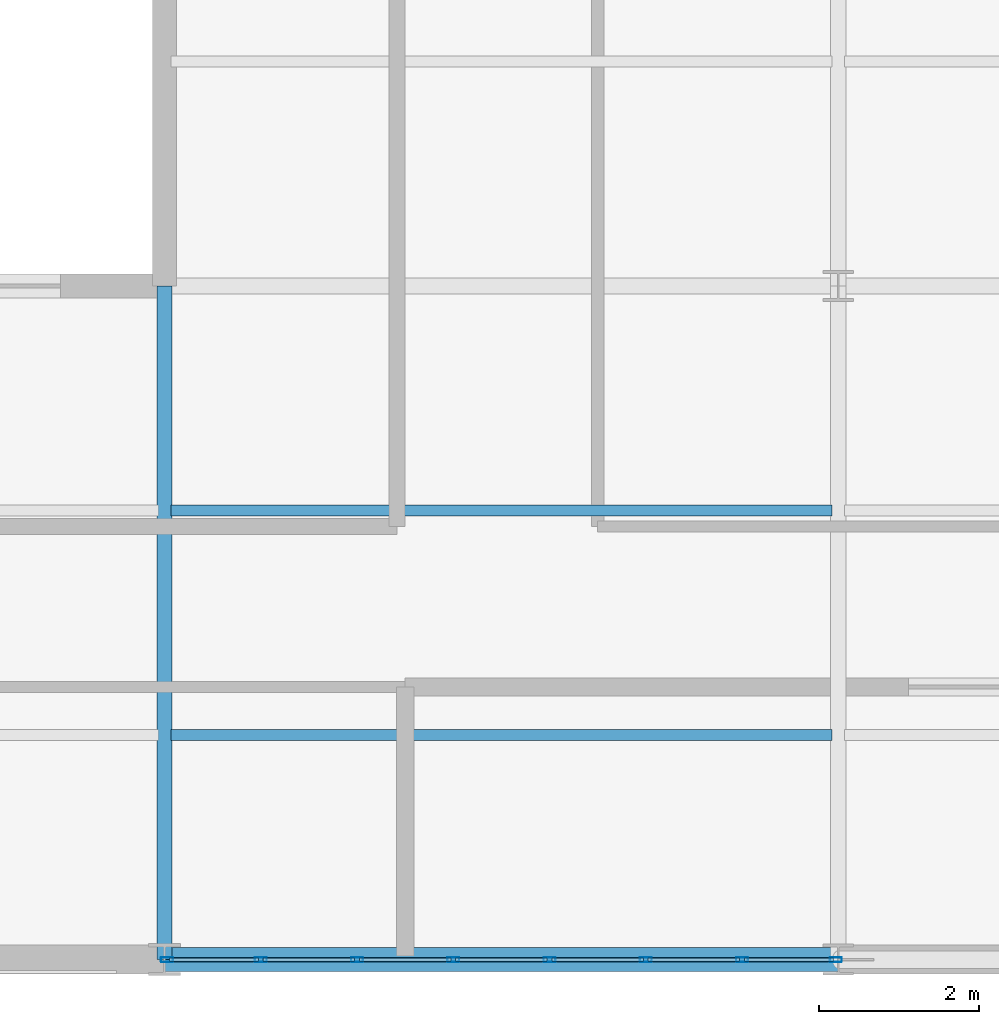
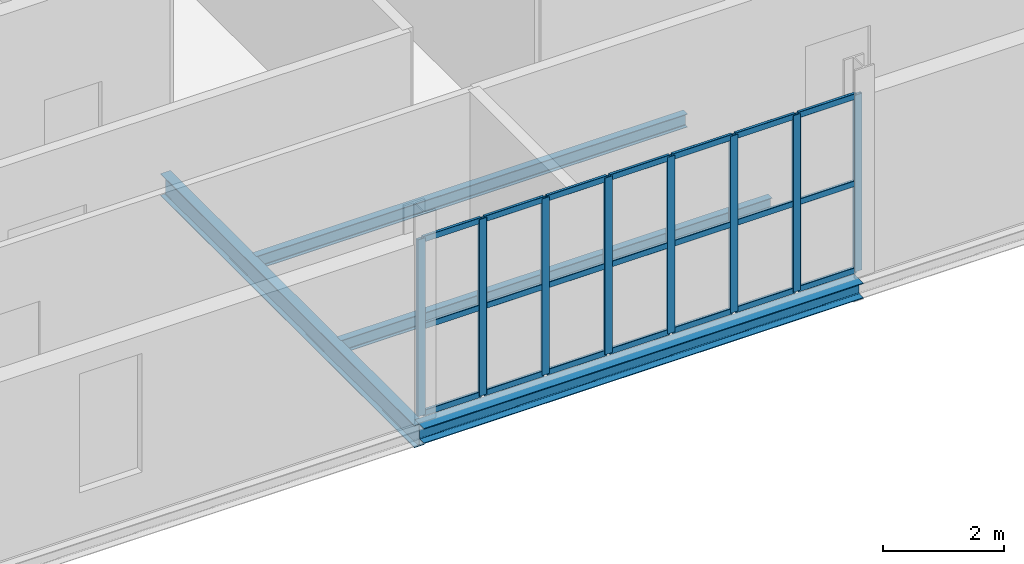
# One storey, part 25 of 184: 29 members, 4 beams, 1 element without a shape of its own.
"""IFC4 building model written with IfcOpenShell, lengths in metres."""

import ifcopenshell
import ifcopenshell.guid

model = None  # the IFC model being written
_history = None  # IfcOwnerHistory: only IFC2X3 demands one
_inside = {}  # id of a spatial element -> (the spatial element, [elements in it])
_under = {}  # id of a project, library or spatial element -> (it, [spatial elements below it])
_declared = {}  # id of a project -> (the project, [libraries it declares])
_typed = {}  # id of a type object -> (the type object, [elements of that type])
_made_of = {}  # id of a material, layer set ... -> (it, [elements and type objects made of it])


def new_model(schema):
    """Start an empty IFC model of exactly this schema.

    Asked for "IFC4X3", IfcOpenShell would pick the latest addendum, in which some entities
    have other attributes; the version numbers below select the first issue.
    IFC2X3 requires an IfcOwnerHistory on every rooted entity: one is made here for all.
    """
    global model, _history
    if schema == "IFC4X3":
        model = ifcopenshell.file(schema_version=(4, 3, 0, 0))
    else:
        model = ifcopenshell.file(schema=schema)
    _inside.clear()
    _under.clear()
    _declared.clear()
    _typed.clear()
    _made_of.clear()
    _history = None
    if model.schema == "IFC2X3":
        org = make("IfcOrganization", Name="unknown")
        user = make(
            "IfcPersonAndOrganization",
            ThePerson=make("IfcPerson", FamilyName="unknown"),
            TheOrganization=org,
        )
        app = make(
            "IfcApplication",
            ApplicationDeveloper=org,
            Version="unknown",
            ApplicationFullName="unknown",
            ApplicationIdentifier="unknown",
        )
        _history = make(
            "IfcOwnerHistory",
            OwningUser=user,
            OwningApplication=app,
            ChangeAction="ADDED",
            CreationDate=0,
        )
    return model


def make(cls, **values):
    """One entity of the class cls with the attributes given. An attribute that is None is left unset."""
    return model.create_entity(
        cls, **{name: value for name, value in values.items() if value is not None}
    )


def rooted(cls, **values):
    """An entity with a GlobalId (a new one), such as an element, a storey or a relation."""
    return make(cls, GlobalId=ifcopenshell.guid.new(), OwnerHistory=_history, **values)


def si_unit(unit_type, name, prefix=None):
    """IfcSIUnit, for example si_unit("LENGTHUNIT", "METRE", prefix="MILLI")."""
    return make("IfcSIUnit", UnitType=unit_type, Prefix=prefix, Name=name)


def assignment(units):
    """IfcUnitAssignment: the units of a project."""
    return None if units is None else make("IfcUnitAssignment", Units=units)


def point(xyz):
    """IfcCartesianPoint."""
    return None if xyz is None else make("IfcCartesianPoint", Coordinates=xyz)


def direction(xyz):
    """IfcDirection."""
    return None if xyz is None else make("IfcDirection", DirectionRatios=xyz)


def frame(location, z_axis=None, x_axis=None):
    """IfcAxis2Placement3D, a coordinate frame: its origin and axes. An axis left out is left unset."""
    return make(
        "IfcAxis2Placement3D",
        Location=point(location),
        Axis=direction(z_axis),
        RefDirection=direction(x_axis),
    )


def frame_2d(location, x_axis=None):
    """IfcAxis2Placement2D, a coordinate frame in the plane: its origin and x axis."""
    return make(
        "IfcAxis2Placement2D", Location=point(location), RefDirection=direction(x_axis)
    )


def origin():
    """The frame at (0, 0, 0) with its axes left unset."""
    return frame((0.0, 0.0, 0.0))


def origin_2d():
    """The frame at (0, 0) in the plane with its x axis left unset."""
    return frame_2d((0.0, 0.0))


def place(relative_to, where):
    """IfcLocalPlacement: puts the frame where relative to a parent placement (None: the world)."""
    return make(
        "IfcLocalPlacement", PlacementRelTo=relative_to, RelativePlacement=where
    )


def context(
    kind, dimensions, precision=None, world=None, true_north=None, identifier=None
):
    """IfcGeometricRepresentationContext, for example the 3D "Model" context."""
    return make(
        "IfcGeometricRepresentationContext",
        ContextIdentifier=identifier,
        ContextType=kind,
        CoordinateSpaceDimension=dimensions,
        Precision=precision,
        WorldCoordinateSystem=world,
        TrueNorth=true_north,
    )


def subcontext(parent, identifier, kind, view, scale=None):
    """IfcGeometricRepresentationSubContext, for example "Body" below "Model"."""
    return make(
        "IfcGeometricRepresentationSubContext",
        ContextIdentifier=identifier,
        ContextType=kind,
        ParentContext=parent,
        TargetScale=scale,
        TargetView=view,
    )


def project(units=None, contexts=None):
    """IfcProject with its units and contexts."""
    return rooted(
        "IfcProject",
        Name="project",
        RepresentationContexts=contexts,
        UnitsInContext=assignment(units),
    )


def spatial(cls, under=None, at=None, **own):
    """A site, building, storey or space (cls), placed at a placement, below another one or the project."""
    s = rooted(cls, ObjectPlacement=at, **own)
    if under is not None:
        _under.setdefault(under.id(), (under, []))[1].append(s)
    return s


def profile(cls, at=None, kind="AREA", **sizes):
    """A parametric profile (cls). Its sizes go by their IFC names, for example OverallWidth=200.0."""
    return make(cls, ProfileType=kind, Position=at, **sizes)


def hollow_rectangle(**sizes):
    """IfcRectangleHollowProfileDef."""
    return profile("IfcRectangleHollowProfileDef", **sizes)


def i_section(**sizes):
    """IfcIShapeProfileDef."""
    return profile("IfcIShapeProfileDef", **sizes)


def extrude(swept, where, along, depth):
    """IfcExtrudedAreaSolid: the profile swept, set in the frame where, extruded along a direction by depth."""
    return make(
        "IfcExtrudedAreaSolid",
        SweptArea=swept,
        Position=where,
        ExtrudedDirection=direction(along),
        Depth=depth,
    )


def shape(context_of_items, identifier, shape_type, items):
    """IfcShapeRepresentation: the items that make up one representation, for example the "Body"."""
    return make(
        "IfcShapeRepresentation",
        ContextOfItems=context_of_items,
        RepresentationIdentifier=identifier,
        RepresentationType=shape_type,
        Items=items,
    )


def material(Name=None, Category=None):
    """IfcMaterial."""
    return make("IfcMaterial", Name=Name, Category=Category)


def layer(
    of_material, thickness, ventilated=None, Name=None, Category=None, Priority=None
):
    """IfcMaterialLayer: one layer of a wall or slab, of a material (None: an air gap)."""
    return make(
        "IfcMaterialLayer",
        Material=of_material,
        LayerThickness=thickness,
        IsVentilated=ventilated,
        Name=Name,
        Category=Category,
        Priority=Priority,
    )


def layer_set(layers, Name=None):
    """IfcMaterialLayerSet."""
    return make("IfcMaterialLayerSet", MaterialLayers=layers, LayerSetName=Name)


def material_profile(
    of_material, cross_section, Name=None, Category=None, Priority=None
):
    """IfcMaterialProfile: a cross section and its material."""
    return make(
        "IfcMaterialProfile",
        Name=Name,
        Material=of_material,
        Profile=cross_section,
        Priority=Priority,
        Category=Category,
    )


def profile_set(profiles, Name=None, composite=None):
    """IfcMaterialProfileSet."""
    return make(
        "IfcMaterialProfileSet",
        Name=Name,
        MaterialProfiles=profiles,
        CompositeProfile=composite,
    )


def made_of(thing, what):
    """Note that an element or type object is made of a material, layer set ...; save() writes the relation."""
    if what is not None:
        _made_of.setdefault(what.id(), (what, []))[1].append(thing)
    return thing


def type_object(cls, material=None, **own):
    """A type object (cls), such as IfcWallType, which elements share."""
    return made_of(rooted(cls, **own), material)


def element(
    cls,
    number,
    at=None,
    inside=None,
    cuts=None,
    type_object=None,
    material=None,
    context=None,
    identifier="Body",
    shape_type=None,
    held_by="IfcProductDefinitionShape",
    body=None,
    shapes=None,
    **own,
):
    """One element of the class cls, such as IfcWall. Its Tag is "e" and its number.

    at: its placement. inside: the storey or other place that contains it. cuts: it is an
    opening in that element (IfcRelVoidsElement). A single representation is given by context,
    identifier, shape_type and body (its items); several are given by shapes. held_by: the class
    of the entity that holds the representations. save() writes the other relations.
    """
    e = rooted(cls, Tag="e%d" % number, ObjectPlacement=at, **own)
    if body is not None:
        shapes = [shape(context, identifier, shape_type, body)]
    if shapes is not None:
        e.Representation = make(held_by, Representations=shapes)
    if inside is not None:
        _inside.setdefault(inside.id(), (inside, []))[1].append(e)
    if cuts is not None:
        rooted(
            "IfcRelVoidsElement", RelatingBuildingElement=cuts, RelatedOpeningElement=e
        )
    if type_object is not None:
        _typed.setdefault(type_object.id(), (type_object, []))[1].append(e)
    return made_of(e, material)


def aggregate(whole, parts):
    """IfcRelAggregates: a whole, such as a stair, and the parts it consists of."""
    return rooted("IfcRelAggregates", RelatingObject=whole, RelatedObjects=parts)


def save(model, path):
    """Write the relations noted so far, then the file.

    IfcRelAggregates (storeys below a building ...), IfcRelContainedInSpatialStructure (elements
    in a storey), IfcRelDefinesByType, IfcRelAssociatesMaterial and IfcRelDeclares: one each for
    every whole, place, type object, material and project.
    """
    for whole, parts in _under.values():
        aggregate(whole, parts)
    for where, things in _inside.values():
        rooted(
            "IfcRelContainedInSpatialStructure",
            RelatedElements=things,
            RelatingStructure=where,
        )
    for kind, things in _typed.values():
        rooted("IfcRelDefinesByType", RelatedObjects=things, RelatingType=kind)
    for what, things in _made_of.values():
        rooted("IfcRelAssociatesMaterial", RelatedObjects=things, RelatingMaterial=what)
    for by, libraries in _declared.values():
        rooted("IfcRelDeclares", RelatingContext=by, RelatedDefinitions=libraries)
    model.write(path)


model = new_model("IFC4")

# Units and contexts
model_context = context("Model", 3, precision=1e-05, world=origin(), true_north=direction((0.0, 1.0)))
body_context = subcontext(model_context, "Body", "Model", "MODEL_VIEW")
ifc_project = project(units=[si_unit("LENGTHUNIT", "METRE"), si_unit("AREAUNIT", "SQUARE_METRE"), si_unit("VOLUMEUNIT", "CUBIC_METRE"), si_unit("PLANEANGLEUNIT", "RADIAN"), si_unit("MASSUNIT", "GRAM", prefix="KILO")], contexts=[model_context])

# Site, building, storey
site_placement = place(None, origin())
site = spatial("IfcSite", under=ifc_project, at=site_placement, CompositionType="ELEMENT")
building_placement = place(site_placement, origin())
building = spatial("IfcBuilding", under=site, at=building_placement, Name="Qalvenar Corner Mobility Hub", CompositionType="ELEMENT")
storey_placement = place(building_placement, frame((0.0, 0.0, 9.0)))
storey = spatial("IfcBuildingStorey", under=building, at=storey_placement, Name="L02", CompositionType="ELEMENT", Elevation=9.0)

# Beams
ifc_material_1 = material(Name="Steel S355", Category="steel")
ifc_material_profile_1 = material_profile(ifc_material_1, i_section(OverallWidth=0.18994140625, OverallDepth=0.449951171875, WebThickness=0.009521484375, FlangeThickness=0.0146484375, FilletRadius=0.02099609375, at=origin_2d()), Name="IPE450")
ifc_profile_set_1 = profile_set([ifc_material_profile_1], Name="Steel S355")
beam_type_1 = type_object("IfcBeamType", Name="BM-IPE450", PredefinedType="BEAM", material=ifc_profile_set_1)
beam_1_placement = place(storey_placement, frame((16.800048828125, 0.0, -0.405029296875), z_axis=(0.0, 1.0, 0.0), x_axis=(-1.0, 0.0, 0.0)))
element("IfcBeam", 1, at=beam_1_placement, inside=storey, type_object=beam_type_1, Name="Primary Steel Girder GY-1587", PredefinedType="BEAM", context=body_context, shape_type="SweptSolid", body=[
    extrude(i_section(OverallWidth=0.18994140625, OverallDepth=0.449951171875, WebThickness=0.009521484375, FlangeThickness=0.0146484375, FilletRadius=0.02099609375, at=origin_2d()), origin(), (0.0, 0.0, 1.0), 8.39990234375),
])
ifc_material_profile_2 = material_profile(ifc_material_1, i_section(OverallWidth=0.135009765625, OverallDepth=0.27001953125, WebThickness=0.006591796875, FlangeThickness=0.01025390625, FilletRadius=0.014892578125, at=origin_2d()), Name="IPE270")
ifc_profile_set_2 = profile_set([ifc_material_profile_2], Name="Steel S355")
beam_type_2 = type_object("IfcBeamType", Name="BM-JST270", PredefinedType="JOIST", material=ifc_profile_set_2)
for number, where, z_axis, x_axis, name in (
    (2, (16.8779296875, 2.800048828125, -0.31494140625), (1.0, 0.0, 0.0), (0.0, 1.0, 0.0), "Composite Floor Joist J-1631"),
    (3, (16.8779296875, 5.60009765625, -0.31494140625), (1.0, 0.0, 0.0), (0.0, 1.0, 0.0), "Composite Floor Joist J-1632"),
):
    element("IfcBeam", number, at=place(storey_placement, frame(where, z_axis=z_axis, x_axis=x_axis)), inside=storey, type_object=beam_type_2, Name=name, PredefinedType="JOIST", context=body_context, shape_type="SweptSolid", body=[
        extrude(i_section(OverallWidth=0.135009765625, OverallDepth=0.27001953125, WebThickness=0.006591796875, FlangeThickness=0.01025390625, FilletRadius=0.014892578125, at=origin_2d()), origin(), (0.0, 0.0, 1.0), 8.244140625),
    ])
ifc_material_profile_3 = material_profile(ifc_material_1, i_section(OverallWidth=0.300048828125, OverallDepth=0.31005859375, WebThickness=0.009033203125, FlangeThickness=0.015380859375, FilletRadius=0.027099609375, at=origin_2d()), Name="HEA320")
ifc_profile_set_3 = profile_set([ifc_material_profile_3], Name="Steel S355")
beam_type_3 = type_object("IfcBeamType", Name="BM-SPN320", PredefinedType="SPANDREL", material=ifc_profile_set_3)
beam_2_placement = place(storey_placement, frame((16.800048828125, 0.0, -0.3349609375), z_axis=(1.0, 0.0, 0.0), x_axis=(0.0, 1.0, 0.0)))
element("IfcBeam", 4, at=beam_2_placement, inside=storey, type_object=beam_type_3, Name="Primary Steel Girder GX-1543", PredefinedType="SPANDREL", context=body_context, shape_type="SweptSolid", body=[
    extrude(i_section(OverallWidth=0.300048828125, OverallDepth=0.31005859375, WebThickness=0.009033203125, FlangeThickness=0.015380859375, FilletRadius=0.027099609375, at=origin_2d()), origin(), (0.0, 0.0, 1.0), 8.39990234375),
])

# Curtain wall, members
ifc_material_2 = material(Name="Anodised Aluminium and Low-E Glazing", Category="aluminium")
ifc_layer = layer(ifc_material_2, 0.14990234375)
ifc_layer_set = layer_set([ifc_layer], Name="Anodised Aluminium and Low-E Glazing")
curtain_wall_type = type_object("IfcCurtainWallType", Name="CW-CIV-84X40", PredefinedType="NOTDEFINED", material=ifc_layer_set)
curtain_wall_placement = place(storey_placement, origin())
curtain_wall = element("IfcCurtainWall", 5, at=curtain_wall_placement, inside=storey, type_object=curtain_wall_type, Name="Glazed Curtain Wall CW-V3-L02-S2", PredefinedType="NOTDEFINED")
ifc_material_3 = material(Name="Anodised Aluminium 6063-T6", Category="aluminium")
ifc_material_profile_4 = material_profile(ifc_material_3, hollow_rectangle(XDim=0.06005859375, YDim=0.14990234375, WallThickness=0.00390625, InnerFilletRadius=0.00390625, OuterFilletRadius=0.008056640625, at=origin_2d()), Name="RHS150x60x4")
ifc_profile_set_4 = profile_set([ifc_material_profile_4], Name="Anodised Aluminium 6063-T6")
member_type_1 = type_object("IfcMemberType", Name="CW-MUL150", PredefinedType="MULLION", material=ifc_profile_set_4)
member_1_placement = place(storey_placement, frame((16.830078125, 0.0, 0.0), z_axis=(0.0, 0.0, 1.0), x_axis=(0.0, 1.0, 0.0)))
member_1 = element("IfcMember", 6, at=member_1_placement, type_object=member_type_1, Name="CW-05 mullion 1", PredefinedType="MULLION", context=body_context, shape_type="SweptSolid", body=[
    extrude(hollow_rectangle(XDim=0.06005859375, YDim=0.14990234375, WallThickness=0.00390625, InnerFilletRadius=0.00390625, OuterFilletRadius=0.008056640625, at=origin_2d()), origin(), (0.0, 0.0, 1.0), 3.570068359375),
])
member_2_placement = place(storey_placement, frame((18.0, 0.0, 0.0), z_axis=(0.0, 0.0, 1.0), x_axis=(0.0, 1.0, 0.0)))
member_2 = element("IfcMember", 7, at=member_2_placement, type_object=member_type_1, Name="CW-05 mullion 2", PredefinedType="MULLION", context=body_context, shape_type="SweptSolid", body=[
    extrude(hollow_rectangle(XDim=0.06005859375, YDim=0.14990234375, WallThickness=0.00390625, InnerFilletRadius=0.00390625, OuterFilletRadius=0.008056640625, at=origin_2d()), origin(), (0.0, 0.0, 1.0), 3.570068359375),
])
member_3_placement = place(storey_placement, frame((19.199951171875, 0.0, 0.0), z_axis=(0.0, 0.0, 1.0), x_axis=(0.0, 1.0, 0.0)))
member_3 = element("IfcMember", 8, at=member_3_placement, type_object=member_type_1, Name="CW-05 mullion 3", PredefinedType="MULLION", context=body_context, shape_type="SweptSolid", body=[
    extrude(hollow_rectangle(XDim=0.06005859375, YDim=0.14990234375, WallThickness=0.00390625, InnerFilletRadius=0.00390625, OuterFilletRadius=0.008056640625, at=origin_2d()), origin(), (0.0, 0.0, 1.0), 3.570068359375),
])
member_4_placement = place(storey_placement, frame((20.39990234375, 0.0, 0.0), z_axis=(0.0, 0.0, 1.0), x_axis=(0.0, 1.0, 0.0)))
member_4 = element("IfcMember", 9, at=member_4_placement, type_object=member_type_1, Name="CW-05 mullion 4", PredefinedType="MULLION", context=body_context, shape_type="SweptSolid", body=[
    extrude(hollow_rectangle(XDim=0.06005859375, YDim=0.14990234375, WallThickness=0.00390625, InnerFilletRadius=0.00390625, OuterFilletRadius=0.008056640625, at=origin_2d()), origin(), (0.0, 0.0, 1.0), 3.570068359375),
])
member_5_placement = place(storey_placement, frame((21.60009765625, 0.0, 0.0), z_axis=(0.0, 0.0, 1.0), x_axis=(0.0, 1.0, 0.0)))
member_5 = element("IfcMember", 10, at=member_5_placement, type_object=member_type_1, Name="CW-05 mullion 5", PredefinedType="MULLION", context=body_context, shape_type="SweptSolid", body=[
    extrude(hollow_rectangle(XDim=0.06005859375, YDim=0.14990234375, WallThickness=0.00390625, InnerFilletRadius=0.00390625, OuterFilletRadius=0.008056640625, at=origin_2d()), origin(), (0.0, 0.0, 1.0), 3.570068359375),
])
member_6_placement = place(storey_placement, frame((22.800048828125, 0.0, 0.0), z_axis=(0.0, 0.0, 1.0), x_axis=(0.0, 1.0, 0.0)))
member_6 = element("IfcMember", 11, at=member_6_placement, type_object=member_type_1, Name="CW-05 mullion 6", PredefinedType="MULLION", context=body_context, shape_type="SweptSolid", body=[
    extrude(hollow_rectangle(XDim=0.06005859375, YDim=0.14990234375, WallThickness=0.00390625, InnerFilletRadius=0.00390625, OuterFilletRadius=0.008056640625, at=origin_2d()), origin(), (0.0, 0.0, 1.0), 3.570068359375),
])
member_7_placement = place(storey_placement, frame((24.0, 0.0, 0.0), z_axis=(0.0, 0.0, 1.0), x_axis=(0.0, 1.0, 0.0)))
member_7 = element("IfcMember", 12, at=member_7_placement, type_object=member_type_1, Name="CW-05 mullion 7", PredefinedType="MULLION", context=body_context, shape_type="SweptSolid", body=[
    extrude(hollow_rectangle(XDim=0.06005859375, YDim=0.14990234375, WallThickness=0.00390625, InnerFilletRadius=0.00390625, OuterFilletRadius=0.008056640625, at=origin_2d()), origin(), (0.0, 0.0, 1.0), 3.570068359375),
])
member_8_placement = place(storey_placement, frame((25.169921875, 0.0, 0.0), z_axis=(0.0, 0.0, 1.0), x_axis=(0.0, 1.0, 0.0)))
member_8 = element("IfcMember", 13, at=member_8_placement, type_object=member_type_1, Name="CW-05 mullion 8", PredefinedType="MULLION", context=body_context, shape_type="SweptSolid", body=[
    extrude(hollow_rectangle(XDim=0.06005859375, YDim=0.14990234375, WallThickness=0.00390625, InnerFilletRadius=0.00390625, OuterFilletRadius=0.008056640625, at=origin_2d()), origin(), (0.0, 0.0, 1.0), 3.570068359375),
])
ifc_material_profile_5 = material_profile(ifc_material_3, hollow_rectangle(XDim=0.054931640625, YDim=0.1201171875, WallThickness=0.00341796875, InnerFilletRadius=0.00341796875, OuterFilletRadius=0.007080078125, at=origin_2d()), Name="RHS120x55x3.5")
ifc_profile_set_5 = profile_set([ifc_material_profile_5], Name="Anodised Aluminium 6063-T6")
member_type_2 = type_object("IfcMemberType", Name="CW-TRN120", PredefinedType="USERDEFINED", material=ifc_profile_set_5)
member_9_placement = place(storey_placement, frame((16.860107421875, 0.0, 0.027587890625), z_axis=(1.0, 0.0, 0.0), x_axis=(0.0, 1.0, 0.0)))
member_9 = element("IfcMember", 14, at=member_9_placement, type_object=member_type_2, Name="CW-05 transom 1.1", ObjectType="TRANSOM", PredefinedType="USERDEFINED", context=body_context, shape_type="SweptSolid", body=[
    extrude(hollow_rectangle(XDim=0.054931640625, YDim=0.1201171875, WallThickness=0.00341796875, InnerFilletRadius=0.00341796875, OuterFilletRadius=0.007080078125, at=origin_2d()), origin(), (0.0, 0.0, 1.0), 1.10986328125),
])
member_10_placement = place(storey_placement, frame((16.860107421875, 0.0, 1.784912109375), z_axis=(1.0, 0.0, 0.0), x_axis=(0.0, 1.0, 0.0)))
member_10 = element("IfcMember", 15, at=member_10_placement, type_object=member_type_2, Name="CW-05 transom 1.2", ObjectType="TRANSOM", PredefinedType="USERDEFINED", context=body_context, shape_type="SweptSolid", body=[
    extrude(hollow_rectangle(XDim=0.054931640625, YDim=0.1201171875, WallThickness=0.00341796875, InnerFilletRadius=0.00341796875, OuterFilletRadius=0.007080078125, at=origin_2d()), origin(), (0.0, 0.0, 1.0), 1.10986328125),
])
member_11_placement = place(storey_placement, frame((16.860107421875, 0.0, 3.54248046875), z_axis=(1.0, 0.0, 0.0), x_axis=(0.0, 1.0, 0.0)))
member_11 = element("IfcMember", 16, at=member_11_placement, type_object=member_type_2, Name="CW-05 transom 1.3", ObjectType="TRANSOM", PredefinedType="USERDEFINED", context=body_context, shape_type="SweptSolid", body=[
    extrude(hollow_rectangle(XDim=0.054931640625, YDim=0.1201171875, WallThickness=0.00341796875, InnerFilletRadius=0.00341796875, OuterFilletRadius=0.007080078125, at=origin_2d()), origin(), (0.0, 0.0, 1.0), 1.10986328125),
])
member_12_placement = place(storey_placement, frame((18.030029296875, 0.0, 0.027587890625), z_axis=(1.0, 0.0, 0.0), x_axis=(0.0, 1.0, 0.0)))
member_12 = element("IfcMember", 17, at=member_12_placement, type_object=member_type_2, Name="CW-05 transom 2.1", ObjectType="TRANSOM", PredefinedType="USERDEFINED", context=body_context, shape_type="SweptSolid", body=[
    extrude(hollow_rectangle(XDim=0.054931640625, YDim=0.1201171875, WallThickness=0.00341796875, InnerFilletRadius=0.00341796875, OuterFilletRadius=0.007080078125, at=origin_2d()), origin(), (0.0, 0.0, 1.0), 1.139892578125),
])
member_13_placement = place(storey_placement, frame((18.030029296875, 0.0, 1.784912109375), z_axis=(1.0, 0.0, 0.0), x_axis=(0.0, 1.0, 0.0)))
member_13 = element("IfcMember", 18, at=member_13_placement, type_object=member_type_2, Name="CW-05 transom 2.2", ObjectType="TRANSOM", PredefinedType="USERDEFINED", context=body_context, shape_type="SweptSolid", body=[
    extrude(hollow_rectangle(XDim=0.054931640625, YDim=0.1201171875, WallThickness=0.00341796875, InnerFilletRadius=0.00341796875, OuterFilletRadius=0.007080078125, at=origin_2d()), origin(), (0.0, 0.0, 1.0), 1.139892578125),
])
member_14_placement = place(storey_placement, frame((18.030029296875, 0.0, 3.54248046875), z_axis=(1.0, 0.0, 0.0), x_axis=(0.0, 1.0, 0.0)))
member_14 = element("IfcMember", 19, at=member_14_placement, type_object=member_type_2, Name="CW-05 transom 2.3", ObjectType="TRANSOM", PredefinedType="USERDEFINED", context=body_context, shape_type="SweptSolid", body=[
    extrude(hollow_rectangle(XDim=0.054931640625, YDim=0.1201171875, WallThickness=0.00341796875, InnerFilletRadius=0.00341796875, OuterFilletRadius=0.007080078125, at=origin_2d()), origin(), (0.0, 0.0, 1.0), 1.139892578125),
])
member_15_placement = place(storey_placement, frame((19.22998046875, 0.0, 0.027587890625), z_axis=(1.0, 0.0, 0.0), x_axis=(0.0, 1.0, 0.0)))
member_15 = element("IfcMember", 20, at=member_15_placement, type_object=member_type_2, Name="CW-05 transom 3.1", ObjectType="TRANSOM", PredefinedType="USERDEFINED", context=body_context, shape_type="SweptSolid", body=[
    extrude(hollow_rectangle(XDim=0.054931640625, YDim=0.1201171875, WallThickness=0.00341796875, InnerFilletRadius=0.00341796875, OuterFilletRadius=0.007080078125, at=origin_2d()), origin(), (0.0, 0.0, 1.0), 1.14013671875),
])
member_16_placement = place(storey_placement, frame((19.22998046875, 0.0, 1.784912109375), z_axis=(1.0, 0.0, 0.0), x_axis=(0.0, 1.0, 0.0)))
member_16 = element("IfcMember", 21, at=member_16_placement, type_object=member_type_2, Name="CW-05 transom 3.2", ObjectType="TRANSOM", PredefinedType="USERDEFINED", context=body_context, shape_type="SweptSolid", body=[
    extrude(hollow_rectangle(XDim=0.054931640625, YDim=0.1201171875, WallThickness=0.00341796875, InnerFilletRadius=0.00341796875, OuterFilletRadius=0.007080078125, at=origin_2d()), origin(), (0.0, 0.0, 1.0), 1.14013671875),
])
member_17_placement = place(storey_placement, frame((19.22998046875, 0.0, 3.54248046875), z_axis=(1.0, 0.0, 0.0), x_axis=(0.0, 1.0, 0.0)))
member_17 = element("IfcMember", 22, at=member_17_placement, type_object=member_type_2, Name="CW-05 transom 3.3", ObjectType="TRANSOM", PredefinedType="USERDEFINED", context=body_context, shape_type="SweptSolid", body=[
    extrude(hollow_rectangle(XDim=0.054931640625, YDim=0.1201171875, WallThickness=0.00341796875, InnerFilletRadius=0.00341796875, OuterFilletRadius=0.007080078125, at=origin_2d()), origin(), (0.0, 0.0, 1.0), 1.14013671875),
])
member_18_placement = place(storey_placement, frame((20.429931640625, 0.0, 0.027587890625), z_axis=(1.0, 0.0, 0.0), x_axis=(0.0, 1.0, 0.0)))
member_18 = element("IfcMember", 23, at=member_18_placement, type_object=member_type_2, Name="CW-05 transom 4.1", ObjectType="TRANSOM", PredefinedType="USERDEFINED", context=body_context, shape_type="SweptSolid", body=[
    extrude(hollow_rectangle(XDim=0.054931640625, YDim=0.1201171875, WallThickness=0.00341796875, InnerFilletRadius=0.00341796875, OuterFilletRadius=0.007080078125, at=origin_2d()), origin(), (0.0, 0.0, 1.0), 1.14013671875),
])
member_19_placement = place(storey_placement, frame((20.429931640625, 0.0, 1.784912109375), z_axis=(1.0, 0.0, 0.0), x_axis=(0.0, 1.0, 0.0)))
member_19 = element("IfcMember", 24, at=member_19_placement, type_object=member_type_2, Name="CW-05 transom 4.2", ObjectType="TRANSOM", PredefinedType="USERDEFINED", context=body_context, shape_type="SweptSolid", body=[
    extrude(hollow_rectangle(XDim=0.054931640625, YDim=0.1201171875, WallThickness=0.00341796875, InnerFilletRadius=0.00341796875, OuterFilletRadius=0.007080078125, at=origin_2d()), origin(), (0.0, 0.0, 1.0), 1.14013671875),
])
member_20_placement = place(storey_placement, frame((20.429931640625, 0.0, 3.54248046875), z_axis=(1.0, 0.0, 0.0), x_axis=(0.0, 1.0, 0.0)))
member_20 = element("IfcMember", 25, at=member_20_placement, type_object=member_type_2, Name="CW-05 transom 4.3", ObjectType="TRANSOM", PredefinedType="USERDEFINED", context=body_context, shape_type="SweptSolid", body=[
    extrude(hollow_rectangle(XDim=0.054931640625, YDim=0.1201171875, WallThickness=0.00341796875, InnerFilletRadius=0.00341796875, OuterFilletRadius=0.007080078125, at=origin_2d()), origin(), (0.0, 0.0, 1.0), 1.14013671875),
])
member_21_placement = place(storey_placement, frame((21.6298828125, 0.0, 0.027587890625), z_axis=(1.0, 0.0, 0.0), x_axis=(0.0, 1.0, 0.0)))
member_21 = element("IfcMember", 26, at=member_21_placement, type_object=member_type_2, Name="CW-05 transom 5.1", ObjectType="TRANSOM", PredefinedType="USERDEFINED", context=body_context, shape_type="SweptSolid", body=[
    extrude(hollow_rectangle(XDim=0.054931640625, YDim=0.1201171875, WallThickness=0.00341796875, InnerFilletRadius=0.00341796875, OuterFilletRadius=0.007080078125, at=origin_2d()), origin(), (0.0, 0.0, 1.0), 1.14013671875),
])
member_22_placement = place(storey_placement, frame((21.6298828125, 0.0, 1.784912109375), z_axis=(1.0, 0.0, 0.0), x_axis=(0.0, 1.0, 0.0)))
member_22 = element("IfcMember", 27, at=member_22_placement, type_object=member_type_2, Name="CW-05 transom 5.2", ObjectType="TRANSOM", PredefinedType="USERDEFINED", context=body_context, shape_type="SweptSolid", body=[
    extrude(hollow_rectangle(XDim=0.054931640625, YDim=0.1201171875, WallThickness=0.00341796875, InnerFilletRadius=0.00341796875, OuterFilletRadius=0.007080078125, at=origin_2d()), origin(), (0.0, 0.0, 1.0), 1.14013671875),
])
member_23_placement = place(storey_placement, frame((21.6298828125, 0.0, 3.54248046875), z_axis=(1.0, 0.0, 0.0), x_axis=(0.0, 1.0, 0.0)))
member_23 = element("IfcMember", 28, at=member_23_placement, type_object=member_type_2, Name="CW-05 transom 5.3", ObjectType="TRANSOM", PredefinedType="USERDEFINED", context=body_context, shape_type="SweptSolid", body=[
    extrude(hollow_rectangle(XDim=0.054931640625, YDim=0.1201171875, WallThickness=0.00341796875, InnerFilletRadius=0.00341796875, OuterFilletRadius=0.007080078125, at=origin_2d()), origin(), (0.0, 0.0, 1.0), 1.14013671875),
])
member_24_placement = place(storey_placement, frame((22.830078125, 0.0, 0.027587890625), z_axis=(1.0, 0.0, 0.0), x_axis=(0.0, 1.0, 0.0)))
member_24 = element("IfcMember", 29, at=member_24_placement, type_object=member_type_2, Name="CW-05 transom 6.1", ObjectType="TRANSOM", PredefinedType="USERDEFINED", context=body_context, shape_type="SweptSolid", body=[
    extrude(hollow_rectangle(XDim=0.054931640625, YDim=0.1201171875, WallThickness=0.00341796875, InnerFilletRadius=0.00341796875, OuterFilletRadius=0.007080078125, at=origin_2d()), origin(), (0.0, 0.0, 1.0), 1.139892578125),
])
member_25_placement = place(storey_placement, frame((22.830078125, 0.0, 1.784912109375), z_axis=(1.0, 0.0, 0.0), x_axis=(0.0, 1.0, 0.0)))
member_25 = element("IfcMember", 30, at=member_25_placement, type_object=member_type_2, Name="CW-05 transom 6.2", ObjectType="TRANSOM", PredefinedType="USERDEFINED", context=body_context, shape_type="SweptSolid", body=[
    extrude(hollow_rectangle(XDim=0.054931640625, YDim=0.1201171875, WallThickness=0.00341796875, InnerFilletRadius=0.00341796875, OuterFilletRadius=0.007080078125, at=origin_2d()), origin(), (0.0, 0.0, 1.0), 1.139892578125),
])
member_26_placement = place(storey_placement, frame((22.830078125, 0.0, 3.54248046875), z_axis=(1.0, 0.0, 0.0), x_axis=(0.0, 1.0, 0.0)))
member_26 = element("IfcMember", 31, at=member_26_placement, type_object=member_type_2, Name="CW-05 transom 6.3", ObjectType="TRANSOM", PredefinedType="USERDEFINED", context=body_context, shape_type="SweptSolid", body=[
    extrude(hollow_rectangle(XDim=0.054931640625, YDim=0.1201171875, WallThickness=0.00341796875, InnerFilletRadius=0.00341796875, OuterFilletRadius=0.007080078125, at=origin_2d()), origin(), (0.0, 0.0, 1.0), 1.139892578125),
])
member_27_placement = place(storey_placement, frame((24.030029296875, 0.0, 0.027587890625), z_axis=(1.0, 0.0, 0.0), x_axis=(0.0, 1.0, 0.0)))
member_27 = element("IfcMember", 32, at=member_27_placement, type_object=member_type_2, Name="CW-05 transom 7.1", ObjectType="TRANSOM", PredefinedType="USERDEFINED", context=body_context, shape_type="SweptSolid", body=[
    extrude(hollow_rectangle(XDim=0.054931640625, YDim=0.1201171875, WallThickness=0.00341796875, InnerFilletRadius=0.00341796875, OuterFilletRadius=0.007080078125, at=origin_2d()), origin(), (0.0, 0.0, 1.0), 1.10986328125),
])
member_28_placement = place(storey_placement, frame((24.030029296875, 0.0, 1.784912109375), z_axis=(1.0, 0.0, 0.0), x_axis=(0.0, 1.0, 0.0)))
member_28 = element("IfcMember", 33, at=member_28_placement, type_object=member_type_2, Name="CW-05 transom 7.2", ObjectType="TRANSOM", PredefinedType="USERDEFINED", context=body_context, shape_type="SweptSolid", body=[
    extrude(hollow_rectangle(XDim=0.054931640625, YDim=0.1201171875, WallThickness=0.00341796875, InnerFilletRadius=0.00341796875, OuterFilletRadius=0.007080078125, at=origin_2d()), origin(), (0.0, 0.0, 1.0), 1.10986328125),
])
member_29_placement = place(storey_placement, frame((24.030029296875, 0.0, 3.54248046875), z_axis=(1.0, 0.0, 0.0), x_axis=(0.0, 1.0, 0.0)))
member_29 = element("IfcMember", 34, at=member_29_placement, type_object=member_type_2, Name="CW-05 transom 7.3", ObjectType="TRANSOM", PredefinedType="USERDEFINED", context=body_context, shape_type="SweptSolid", body=[
    extrude(hollow_rectangle(XDim=0.054931640625, YDim=0.1201171875, WallThickness=0.00341796875, InnerFilletRadius=0.00341796875, OuterFilletRadius=0.007080078125, at=origin_2d()), origin(), (0.0, 0.0, 1.0), 1.10986328125),
])
aggregate(curtain_wall, [member_1, member_2, member_3, member_4, member_5, member_6, member_7, member_8, member_9, member_10, member_11, member_12, member_13, member_14, member_15, member_16, member_17, member_18, member_19, member_20, member_21, member_22, member_23, member_24, member_25, member_26, member_27, member_28, member_29])

save(model, "model.ifc")
